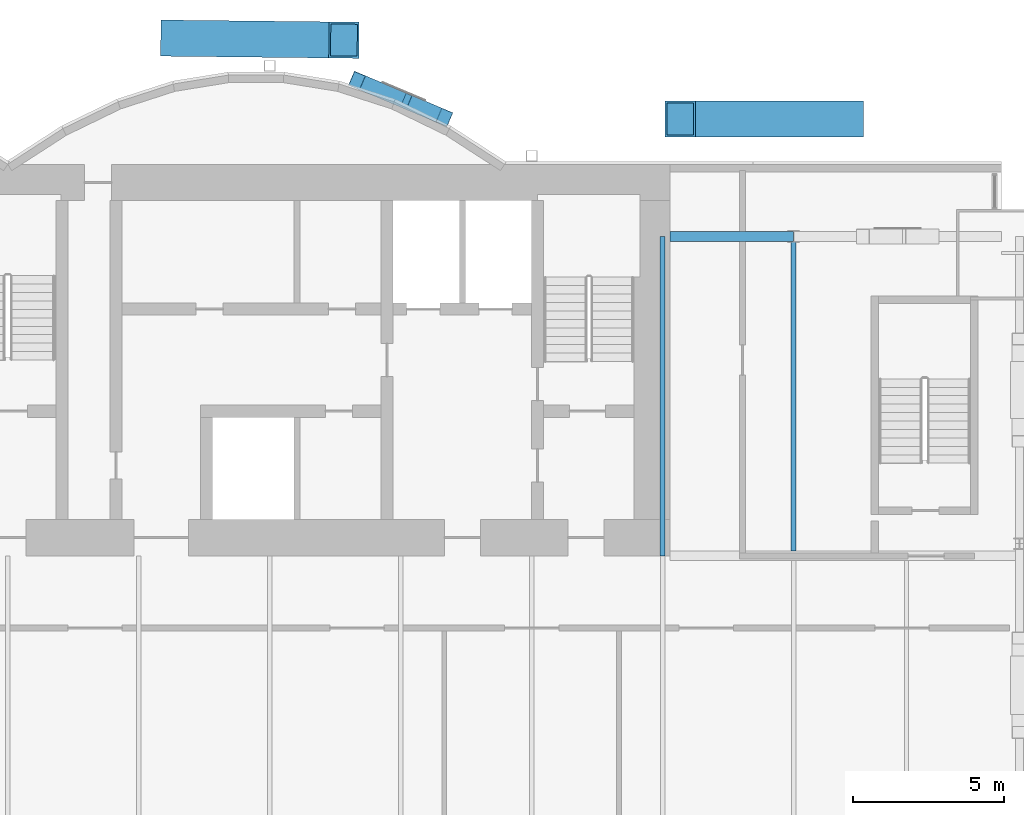
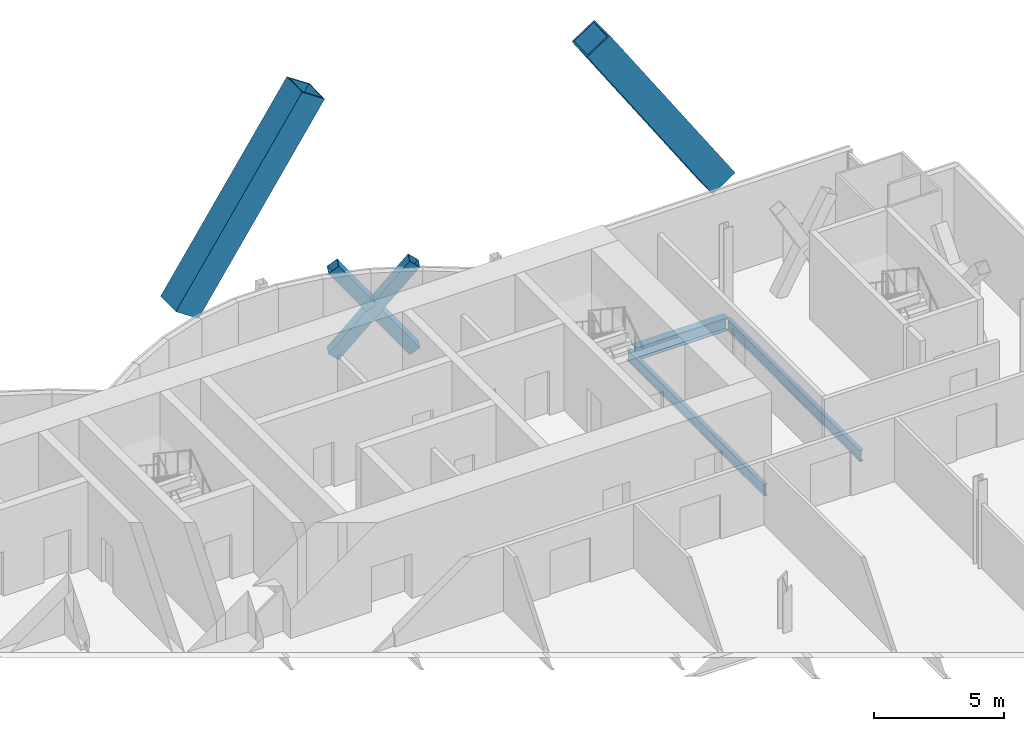
# One storey, part 12 of 22: 5 members, 3 beams.
"""IFC4 building model written with IfcOpenShell, lengths in metres."""

from ifc_helpers import new_model, si_unit, direction, frame, origin, origin_2d, place, context, subcontext, project, spatial, hollow_rectangle, i_section, extrude, material, material_profile, profile_set, type_object, element, save


model = new_model("IFC4")

# Units and contexts
model_context = context("Model", 3, precision=1e-05, world=origin(), true_north=direction((0.0, 1.0)))
body_context = subcontext(model_context, "Body", "Model", "MODEL_VIEW")
ifc_project = project(units=[si_unit("LENGTHUNIT", "METRE"), si_unit("AREAUNIT", "SQUARE_METRE"), si_unit("VOLUMEUNIT", "CUBIC_METRE"), si_unit("PLANEANGLEUNIT", "RADIAN"), si_unit("MASSUNIT", "GRAM", prefix="KILO")], contexts=[model_context])

# Site, building, storey
site_placement = place(None, origin())
site = spatial("IfcSite", under=ifc_project, at=site_placement, CompositionType="ELEMENT")
building_placement = place(site_placement, origin())
building = spatial("IfcBuilding", under=site, at=building_placement, Name="Bicima Exchange Tower", CompositionType="ELEMENT")
storey_placement = place(building_placement, frame((0.0, 0.0, 94.0)))
storey = spatial("IfcBuildingStorey", under=building, at=storey_placement, Name="L19", CompositionType="ELEMENT", Elevation=94.0)

# Members
ifc_material_1 = material(Name="Steel ASTM A572 Gr 50", Category="steel")
ifc_material_profile_1 = material_profile(ifc_material_1, hollow_rectangle(XDim=1.199951171875, YDim=1.199951171875, WallThickness=0.070068359375, at=origin_2d()))
ifc_profile_set_1 = profile_set([ifc_material_profile_1], Name="Steel ASTM A572 Gr 50")
member_type_1 = type_object("IfcMemberType", Name="Exo mega brace BOX 1200x1200x70", PredefinedType="BRACE", material=ifc_profile_set_1)
member_1_placement = place(storey_placement, frame((5.583251953125, 4.1865234375, 3.416748046875), z_axis=(0.552803101452, -0.006091227878, 0.833289642302), x_axis=(0.011018133066, 0.99993929853, 0.0)))
element("IfcMember", 1, at=member_1_placement, inside=storey, type_object=member_type_1, Name="Exo mega brace rear", PredefinedType="BRACE", context=body_context, shape_type="SweptSolid", body=[
    extrude(hollow_rectangle(XDim=1.199951171875, YDim=1.199951171875, WallThickness=0.070068359375, at=origin_2d()), origin(), (0.0, 0.0, 1.0), 10.100341796875),
])
member_2_placement = place(storey_placement, frame((27.916748046875, 1.5, 3.416748046875), z_axis=(-0.55281335708, 0.0, 0.833305101529), x_axis=(0.0, -1.0, 0.0)))
element("IfcMember", 2, at=member_2_placement, inside=storey, type_object=member_type_1, Name="Exo mega brace rear", PredefinedType="BRACE", context=body_context, shape_type="SweptSolid", body=[
    extrude(hollow_rectangle(XDim=1.199951171875, YDim=1.199951171875, WallThickness=0.070068359375, at=origin_2d()), origin(), (0.0, 0.0, 1.0), 10.10009765625),
])

# Beams
ifc_material_2 = material(Name="Steel ASTM A992 Gr 50", Category="steel")
ifc_material_profile_2 = material_profile(ifc_material_2, i_section(OverallWidth=0.165771484375, OverallDepth=0.5283203125, WebThickness=0.009765625, FlangeThickness=0.013671875, at=origin_2d()))
ifc_profile_set_2 = profile_set([ifc_material_profile_2], Name="Steel ASTM A992 Gr 50")
beam_type_1 = type_object("IfcBeamType", Name="Floor beam W21x50", PredefinedType="JOIST", material=ifc_profile_set_2)
beam_1_placement = place(storey_placement, frame((21.75, -2.39990234375, -0.414306640625), z_axis=(0.0, -1.0, 0.0), x_axis=(1.0, 0.0, 0.0)))
element("IfcBeam", 3, at=beam_1_placement, inside=storey, type_object=beam_type_1, Name="Floor beam", PredefinedType="JOIST", context=body_context, shape_type="SweptSolid", body=[
    extrude(i_section(OverallWidth=0.165771484375, OverallDepth=0.5283203125, WebThickness=0.009765625, FlangeThickness=0.013671875, at=origin_2d()), origin(), (0.0, 0.0, 1.0), 10.60009765625),
])
beam_2_placement = place(storey_placement, frame((26.10009765625, -2.5625, -0.414306640625), z_axis=(0.0, -1.0, 0.0), x_axis=(1.0, 0.0, 0.0)))
element("IfcBeam", 4, at=beam_2_placement, inside=storey, type_object=beam_type_1, Name="Floor beam", PredefinedType="JOIST", context=body_context, shape_type="SweptSolid", body=[
    extrude(i_section(OverallWidth=0.165771484375, OverallDepth=0.5283203125, WebThickness=0.009765625, FlangeThickness=0.013671875, at=origin_2d()), origin(), (0.0, 0.0, 1.0), 10.28515625),
])

# Members
ifc_material_profile_3 = material_profile(ifc_material_1, hollow_rectangle(XDim=0.508056640625, YDim=0.508056640625, WallThickness=0.0146484375, at=origin_2d()))
ifc_profile_set_3 = profile_set([ifc_material_profile_3], Name="Steel ASTM A572 Gr 50")
member_type_2 = type_object("IfcMemberType", Name="Mega brace HSS20x20x5/8", PredefinedType="BRACE", material=ifc_profile_set_3)
member_3_placement = place(storey_placement, frame((11.60009765625, 2.783203125, 0.0), z_axis=(0.560941150383, -0.237353950314, 0.793100326615), x_axis=(0.389685518438, 0.920947988064, 0.0)))
element("IfcMember", 5, at=member_3_placement, inside=storey, type_object=member_type_2, Name="Mega brace rexo", PredefinedType="BRACE", context=body_context, shape_type="SweptSolid", body=[
    extrude(hollow_rectangle(XDim=0.508056640625, YDim=0.508056640625, WallThickness=0.0146484375, at=origin_2d()), origin(), (0.0, 0.0, 1.0), 5.169677734375),
])
member_4_placement = place(storey_placement, frame((14.5, 1.55615234375, 0.0), z_axis=(-0.560943491505, 0.237407984212, 0.793082497834), x_axis=(-0.389759375924, -0.92091673287, 0.0)))
element("IfcMember", 6, at=member_4_placement, inside=storey, type_object=member_type_2, Name="Mega brace rexo", PredefinedType="BRACE", context=body_context, shape_type="SweptSolid", body=[
    extrude(hollow_rectangle(XDim=0.508056640625, YDim=0.508056640625, WallThickness=0.0146484375, at=origin_2d()), origin(), (0.0, 0.0, 1.0), 2.409423828125),
])
member_5_placement = place(storey_placement, frame((12.951416015625, 2.21142578125, 2.189208984375), z_axis=(-0.560887533609, 0.237325854329, 0.793146653217), x_axis=(-0.389677985995, -0.92095117527, 0.0)))
element("IfcMember", 7, at=member_5_placement, inside=storey, type_object=member_type_2, Name="Mega brace rexo", PredefinedType="BRACE", context=body_context, shape_type="SweptSolid", body=[
    extrude(hollow_rectangle(XDim=0.508056640625, YDim=0.508056640625, WallThickness=0.0146484375, at=origin_2d()), origin(), (0.0, 0.0, 1.0), 2.4091796875),
])

# Beam
ifc_material_profile_4 = material_profile(ifc_material_2, i_section(OverallWidth=0.3251953125, OverallDepth=0.612060546875, WebThickness=0.0126953125, FlangeThickness=0.01904296875, at=origin_2d()))
ifc_profile_set_4 = profile_set([ifc_material_profile_4], Name="Steel ASTM A992 Gr 50")
beam_type_2 = type_object("IfcBeamType", Name="Rear girder W24x104", PredefinedType="BEAM", material=ifc_profile_set_4)
beam_3_placement = place(storey_placement, frame((22.0, -2.39990234375, -0.4560546875), z_axis=(1.0, 0.0, 0.0), x_axis=(0.0, 1.0, 0.0)))
element("IfcBeam", 8, at=beam_3_placement, inside=storey, type_object=beam_type_2, Name="Rear girder", PredefinedType="BEAM", context=body_context, shape_type="SweptSolid", body=[
    extrude(i_section(OverallWidth=0.3251953125, OverallDepth=0.612060546875, WebThickness=0.0126953125, FlangeThickness=0.01904296875, at=origin_2d()), origin(), (0.0, 0.0, 1.0), 4.10009765625),
])

save(model, "model.ifc")
